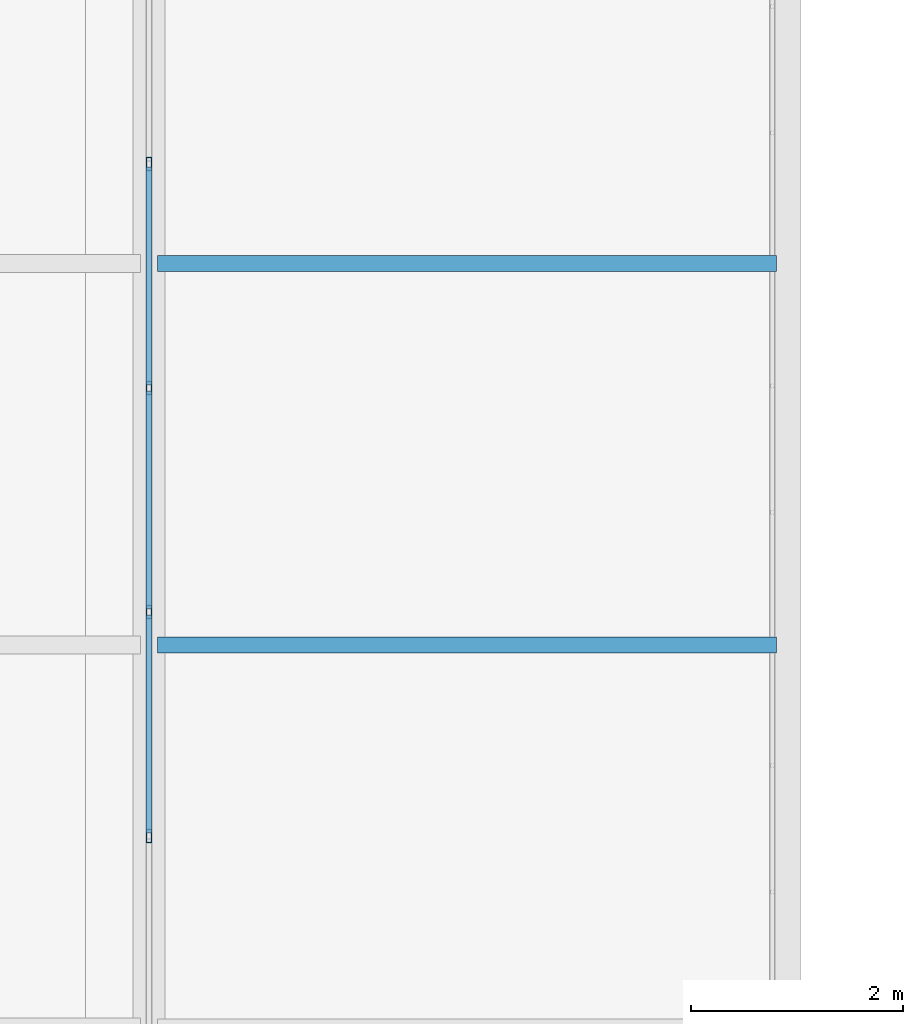
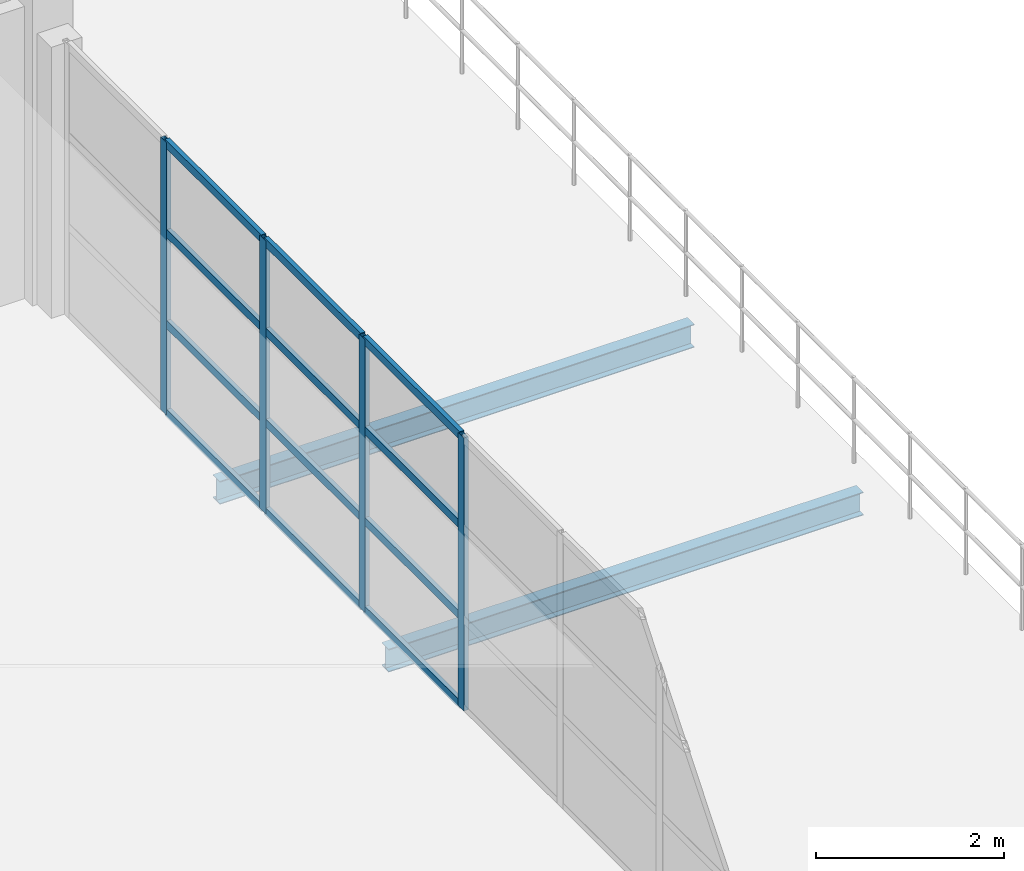
# One storey, part 4 of 11: 16 members, 2 beams, 1 element without a shape of its own.
"""IFC4 building model written with IfcOpenShell, lengths in metres."""

from ifc_helpers import new_model, si_unit, direction, frame, origin, origin_2d, place, context, subcontext, project, spatial, hollow_rectangle, i_section, extrude, material, layer, layer_set, material_profile, profile_set, type_object, element, aggregate, save


model = new_model("IFC4")

# Units and contexts
model_context = context("Model", 3, precision=1e-05, world=origin(), true_north=direction((0.0, 1.0)))
body_context = subcontext(model_context, "Body", "Model", "MODEL_VIEW")
ifc_project = project(units=[si_unit("LENGTHUNIT", "METRE"), si_unit("AREAUNIT", "SQUARE_METRE"), si_unit("VOLUMEUNIT", "CUBIC_METRE"), si_unit("PLANEANGLEUNIT", "RADIAN"), si_unit("MASSUNIT", "GRAM", prefix="KILO")], contexts=[model_context])

# Site, building, storey
site_placement = place(None, origin())
site = spatial("IfcSite", under=ifc_project, at=site_placement, CompositionType="ELEMENT")
building_placement = place(site_placement, origin())
building = spatial("IfcBuilding", under=site, at=building_placement, Name="Zilviju Railside Exhibition Hall", CompositionType="ELEMENT")
storey_placement = place(building_placement, frame((0.0, 0.0, 16.800048828125)))
storey = spatial("IfcBuildingStorey", under=building, at=storey_placement, Name="L05", CompositionType="ELEMENT", Elevation=16.800048828125)

# Beams
ifc_material_1 = material(Name="Steel S355J2", Category="steel")
ifc_material_profile_1 = material_profile(ifc_material_1, i_section(OverallWidth=0.14990234375, OverallDepth=0.300048828125, WebThickness=0.007080078125, FlangeThickness=0.0107421875, at=origin_2d()), Name="IPE 300")
ifc_profile_set_1 = profile_set([ifc_material_profile_1], Name="Steel S355J2")
beam_type = type_object("IfcBeamType", Name="BM-IPE300", PredefinedType="JOIST", material=ifc_profile_set_1)
for number, where, z_axis, x_axis, name in (
    (1, (36.080078125, 94.800048828125, -0.469970703125), (1.0, 0.0, 0.0), (0.0, 1.0, 0.0), "Composite Floor Joist L05 Y=94.80 (36.0..42.0)"),
    (2, (36.080078125, 98.39990234375, -0.469970703125), (1.0, 0.0, 0.0), (0.0, 1.0, 0.0), "Composite Floor Joist L05 Y=98.40 (36.0..42.0)"),
):
    element("IfcBeam", number, at=place(storey_placement, frame(where, z_axis=z_axis, x_axis=x_axis)), inside=storey, type_object=beam_type, Name=name, PredefinedType="JOIST", context=body_context, shape_type="SweptSolid", body=[
        extrude(i_section(OverallWidth=0.14990234375, OverallDepth=0.300048828125, WebThickness=0.007080078125, FlangeThickness=0.0107421875, at=origin_2d()), origin(), (0.0, 0.0, 1.0), 5.83984375),
    ])

# Curtain wall, members
ifc_material_2 = material(Name="Thermally broken aluminium-steel triple-glazed curtain wall", Category="steel")
ifc_layer = layer(ifc_material_2, 0.179931640625)
ifc_layer_set = layer_set([ifc_layer], Name="Thermally broken aluminium-steel triple-glazed curtain wall")
curtain_wall_type = type_object("IfcCurtainWallType", Name="CW-BAY-08", PredefinedType="USERDEFINED", material=ifc_layer_set)
curtain_wall_placement = place(storey_placement, origin())
curtain_wall = element("IfcCurtainWall", 3, at=curtain_wall_placement, inside=storey, type_object=curtain_wall_type, Name="Directorate L05 Boardroom Curtain Wall", ObjectType="GLAZED CURTAIN WALL", PredefinedType="USERDEFINED")
ifc_material_3 = material(Name="Thermally broken anodized aluminium mullion", Category="aluminium")
ifc_material_profile_2 = material_profile(ifc_material_3, hollow_rectangle(XDim=0.054931640625, YDim=0.1298828125, WallThickness=0.0048828125, at=origin_2d()), Name="MULLION 130x55x5")
ifc_profile_set_2 = profile_set([ifc_material_profile_2], Name="Thermally broken anodized aluminium mullion")
member_type_1 = type_object("IfcMemberType", Name="CWM-55x130", PredefinedType="MULLION", material=ifc_profile_set_2)
member_1_placement = place(storey_placement, frame((36.0, 99.33740234375, 0.0), z_axis=(0.0, 0.0, 1.0), x_axis=(1.0, 0.0, 0.0)))
member_1 = element("IfcMember", 4, at=member_1_placement, type_object=member_type_1, Name="CW-08 mullion 2", PredefinedType="MULLION", context=body_context, shape_type="SweptSolid", body=[
    extrude(hollow_rectangle(XDim=0.054931640625, YDim=0.1298828125, WallThickness=0.0048828125, at=origin_2d()), origin(), (0.0, 0.0, 1.0), 3.550048828125),
])
member_2_placement = place(storey_placement, frame((36.0, 97.22509765625, 0.0), z_axis=(0.0, 0.0, 1.0), x_axis=(1.0, 0.0, 0.0)))
member_2 = element("IfcMember", 5, at=member_2_placement, type_object=member_type_1, Name="CW-08 mullion 3", PredefinedType="MULLION", context=body_context, shape_type="SweptSolid", body=[
    extrude(hollow_rectangle(XDim=0.054931640625, YDim=0.1298828125, WallThickness=0.0048828125, at=origin_2d()), origin(), (0.0, 0.0, 1.0), 3.550048828125),
])
member_3_placement = place(storey_placement, frame((36.0, 95.112548828125, 0.0), z_axis=(0.0, 0.0, 1.0), x_axis=(1.0, 0.0, 0.0)))
member_3 = element("IfcMember", 6, at=member_3_placement, type_object=member_type_1, Name="CW-08 mullion 4", PredefinedType="MULLION", context=body_context, shape_type="SweptSolid", body=[
    extrude(hollow_rectangle(XDim=0.054931640625, YDim=0.1298828125, WallThickness=0.0048828125, at=origin_2d()), origin(), (0.0, 0.0, 1.0), 3.550048828125),
])
member_4_placement = place(storey_placement, frame((36.0, 93.0, 0.0), z_axis=(0.0, 0.0, 1.0), x_axis=(1.0, 0.0, 0.0)))
member_4 = element("IfcMember", 7, at=member_4_placement, type_object=member_type_1, Name="CW-08 mullion 5", PredefinedType="MULLION", context=body_context, shape_type="SweptSolid", body=[
    extrude(hollow_rectangle(XDim=0.054931640625, YDim=0.1298828125, WallThickness=0.0048828125, at=origin_2d()), origin(), (0.0, 0.0, 1.0), 3.550048828125),
])
ifc_material_4 = material(Name="Thermally broken anodized aluminium transom", Category="aluminium")
ifc_material_profile_3 = material_profile(ifc_material_4, hollow_rectangle(XDim=0.054931640625, YDim=0.10498046875, WallThickness=0.0048828125, at=origin_2d()), Name="TRANSOM 105x55x5")
ifc_profile_set_3 = profile_set([ifc_material_profile_3], Name="Thermally broken anodized aluminium transom")
member_type_2 = type_object("IfcMemberType", Name="CWT-55x105", PredefinedType="USERDEFINED", material=ifc_profile_set_3)
member_5_placement = place(storey_placement, frame((36.0, 99.31005859375, 0.02734375), z_axis=(0.0, -1.0, 0.0), x_axis=(1.0, 0.0, 0.0)))
member_5 = element("IfcMember", 8, at=member_5_placement, type_object=member_type_2, Name="CW-08 transom 2.1", ObjectType="TRANSOM", PredefinedType="USERDEFINED", context=body_context, shape_type="SweptSolid", body=[
    extrude(hollow_rectangle(XDim=0.054931640625, YDim=0.10498046875, WallThickness=0.0048828125, at=origin_2d()), origin(), (0.0, 0.0, 1.0), 2.0576171875),
])
member_6_placement = place(storey_placement, frame((36.0, 99.31005859375, 1.182861328125), z_axis=(0.0, -1.0, 0.0), x_axis=(1.0, 0.0, 0.0)))
member_6 = element("IfcMember", 9, at=member_6_placement, type_object=member_type_2, Name="CW-08 transom 2.2", ObjectType="TRANSOM", PredefinedType="USERDEFINED", context=body_context, shape_type="SweptSolid", body=[
    extrude(hollow_rectangle(XDim=0.054931640625, YDim=0.10498046875, WallThickness=0.0048828125, at=origin_2d()), origin(), (0.0, 0.0, 1.0), 2.0576171875),
])
member_7_placement = place(storey_placement, frame((36.0, 99.31005859375, 2.366943359375), z_axis=(0.0, -1.0, 0.0), x_axis=(1.0, 0.0, 0.0)))
member_7 = element("IfcMember", 10, at=member_7_placement, type_object=member_type_2, Name="CW-08 transom 2.3", ObjectType="TRANSOM", PredefinedType="USERDEFINED", context=body_context, shape_type="SweptSolid", body=[
    extrude(hollow_rectangle(XDim=0.054931640625, YDim=0.10498046875, WallThickness=0.0048828125, at=origin_2d()), origin(), (0.0, 0.0, 1.0), 2.0576171875),
])
member_8_placement = place(storey_placement, frame((36.0, 99.31005859375, 3.5224609375), z_axis=(0.0, -1.0, 0.0), x_axis=(1.0, 0.0, 0.0)))
member_8 = element("IfcMember", 11, at=member_8_placement, type_object=member_type_2, Name="CW-08 transom 2.4", ObjectType="TRANSOM", PredefinedType="USERDEFINED", context=body_context, shape_type="SweptSolid", body=[
    extrude(hollow_rectangle(XDim=0.054931640625, YDim=0.10498046875, WallThickness=0.0048828125, at=origin_2d()), origin(), (0.0, 0.0, 1.0), 2.0576171875),
])
member_9_placement = place(storey_placement, frame((36.0, 97.197509765625, 0.02734375), z_axis=(0.0, -1.0, 0.0), x_axis=(1.0, 0.0, 0.0)))
member_9 = element("IfcMember", 12, at=member_9_placement, type_object=member_type_2, Name="CW-08 transom 3.1", ObjectType="TRANSOM", PredefinedType="USERDEFINED", context=body_context, shape_type="SweptSolid", body=[
    extrude(hollow_rectangle(XDim=0.054931640625, YDim=0.10498046875, WallThickness=0.0048828125, at=origin_2d()), origin(), (0.0, 0.0, 1.0), 2.0576171875),
])
member_10_placement = place(storey_placement, frame((36.0, 97.197509765625, 1.182861328125), z_axis=(0.0, -1.0, 0.0), x_axis=(1.0, 0.0, 0.0)))
member_10 = element("IfcMember", 13, at=member_10_placement, type_object=member_type_2, Name="CW-08 transom 3.2", ObjectType="TRANSOM", PredefinedType="USERDEFINED", context=body_context, shape_type="SweptSolid", body=[
    extrude(hollow_rectangle(XDim=0.054931640625, YDim=0.10498046875, WallThickness=0.0048828125, at=origin_2d()), origin(), (0.0, 0.0, 1.0), 2.0576171875),
])
member_11_placement = place(storey_placement, frame((36.0, 97.197509765625, 2.366943359375), z_axis=(0.0, -1.0, 0.0), x_axis=(1.0, 0.0, 0.0)))
member_11 = element("IfcMember", 14, at=member_11_placement, type_object=member_type_2, Name="CW-08 transom 3.3", ObjectType="TRANSOM", PredefinedType="USERDEFINED", context=body_context, shape_type="SweptSolid", body=[
    extrude(hollow_rectangle(XDim=0.054931640625, YDim=0.10498046875, WallThickness=0.0048828125, at=origin_2d()), origin(), (0.0, 0.0, 1.0), 2.0576171875),
])
member_12_placement = place(storey_placement, frame((36.0, 97.197509765625, 3.5224609375), z_axis=(0.0, -1.0, 0.0), x_axis=(1.0, 0.0, 0.0)))
member_12 = element("IfcMember", 15, at=member_12_placement, type_object=member_type_2, Name="CW-08 transom 3.4", ObjectType="TRANSOM", PredefinedType="USERDEFINED", context=body_context, shape_type="SweptSolid", body=[
    extrude(hollow_rectangle(XDim=0.054931640625, YDim=0.10498046875, WallThickness=0.0048828125, at=origin_2d()), origin(), (0.0, 0.0, 1.0), 2.0576171875),
])
member_13_placement = place(storey_placement, frame((36.0, 95.0849609375, 0.02734375), z_axis=(0.0, -1.0, 0.0), x_axis=(1.0, 0.0, 0.0)))
member_13 = element("IfcMember", 16, at=member_13_placement, type_object=member_type_2, Name="CW-08 transom 4.1", ObjectType="TRANSOM", PredefinedType="USERDEFINED", context=body_context, shape_type="SweptSolid", body=[
    extrude(hollow_rectangle(XDim=0.054931640625, YDim=0.10498046875, WallThickness=0.0048828125, at=origin_2d()), origin(), (0.0, 0.0, 1.0), 2.057373046875),
])
member_14_placement = place(storey_placement, frame((36.0, 95.0849609375, 1.182861328125), z_axis=(0.0, -1.0, 0.0), x_axis=(1.0, 0.0, 0.0)))
member_14 = element("IfcMember", 17, at=member_14_placement, type_object=member_type_2, Name="CW-08 transom 4.2", ObjectType="TRANSOM", PredefinedType="USERDEFINED", context=body_context, shape_type="SweptSolid", body=[
    extrude(hollow_rectangle(XDim=0.054931640625, YDim=0.10498046875, WallThickness=0.0048828125, at=origin_2d()), origin(), (0.0, 0.0, 1.0), 2.057373046875),
])
member_15_placement = place(storey_placement, frame((36.0, 95.0849609375, 2.366943359375), z_axis=(0.0, -1.0, 0.0), x_axis=(1.0, 0.0, 0.0)))
member_15 = element("IfcMember", 18, at=member_15_placement, type_object=member_type_2, Name="CW-08 transom 4.3", ObjectType="TRANSOM", PredefinedType="USERDEFINED", context=body_context, shape_type="SweptSolid", body=[
    extrude(hollow_rectangle(XDim=0.054931640625, YDim=0.10498046875, WallThickness=0.0048828125, at=origin_2d()), origin(), (0.0, 0.0, 1.0), 2.057373046875),
])
member_16_placement = place(storey_placement, frame((36.0, 95.0849609375, 3.5224609375), z_axis=(0.0, -1.0, 0.0), x_axis=(1.0, 0.0, 0.0)))
member_16 = element("IfcMember", 19, at=member_16_placement, type_object=member_type_2, Name="CW-08 transom 4.4", ObjectType="TRANSOM", PredefinedType="USERDEFINED", context=body_context, shape_type="SweptSolid", body=[
    extrude(hollow_rectangle(XDim=0.054931640625, YDim=0.10498046875, WallThickness=0.0048828125, at=origin_2d()), origin(), (0.0, 0.0, 1.0), 2.057373046875),
])
aggregate(curtain_wall, [member_1, member_2, member_3, member_4, member_5, member_6, member_7, member_8, member_9, member_10, member_11, member_12, member_13, member_14, member_15, member_16])

save(model, "model.ifc")
